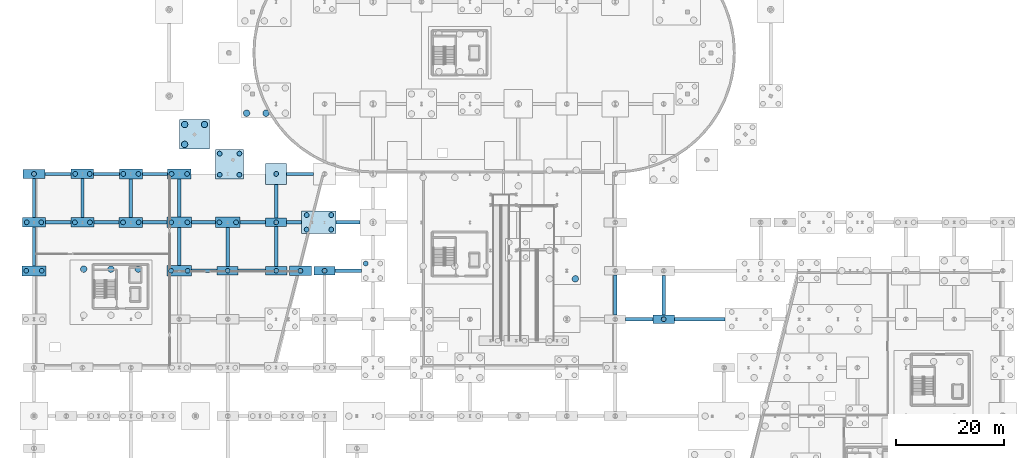
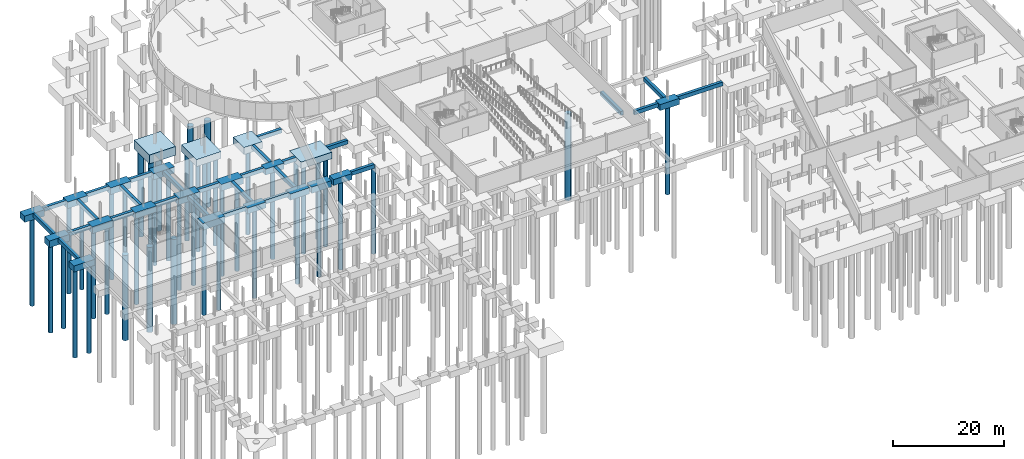
# One storey, part 4 of 42: 48 footings, 46 piles.
"""IFC4 building model written with IfcOpenShell, lengths in metres."""

from ifc_helpers import new_model, si_unit, direction, frame, origin, origin_2d, place, context, subcontext, project, spatial, rectangle, circle, extrude, material, material_profile, profile_set, type_object, element, save


model = new_model("IFC4")

# Units and contexts
model_context = context("Model", 3, precision=1e-05, world=origin(), true_north=direction((0.0, 1.0)))
body_context = subcontext(model_context, "Body", "Model", "MODEL_VIEW")
ifc_project = project(units=[si_unit("LENGTHUNIT", "METRE"), si_unit("AREAUNIT", "SQUARE_METRE"), si_unit("VOLUMEUNIT", "CUBIC_METRE"), si_unit("PLANEANGLEUNIT", "RADIAN"), si_unit("MASSUNIT", "GRAM", prefix="KILO")], contexts=[model_context])

# Site, building, storey
site_placement = place(None, origin())
site = spatial("IfcSite", under=ifc_project, at=site_placement, CompositionType="ELEMENT")
building_placement = place(site_placement, origin())
building = spatial("IfcBuilding", under=site, at=building_placement, Name="Deido Ridge Mobility Hub", CompositionType="ELEMENT")
storey_placement = place(building_placement, frame((0.0, 0.0, -4.199951171875)))
storey = spatial("IfcBuildingStorey", under=building, at=storey_placement, Name="B1", CompositionType="ELEMENT", Elevation=-4.199951171875)

# Footings
ifc_material = material(Name="Concrete C40/50", Category="concrete")
footing_type_1 = type_object("IfcFootingType", Name="FTG-PC-3900X1600X1300", PredefinedType="PILE_CAP", material=ifc_material)
for number, where, z_axis, x_axis, name in (
    (1, (36.0, 63.0, -1.30029296875), (0.0, 0.0, 1.0), (1.0, 0.0, 0.0), "Pile cap PC1"),
    (2, (45.0, 72.0, -1.30029296875), (0.0, 0.0, 1.0), (1.0, 0.0, 0.0), "Pile cap PC1"),
    (3, (54.0, 63.0, -1.30029296875), (0.0, 0.0, 1.0), (1.0, 0.0, 0.0), "Pile cap PC1"),
):
    element("IfcFooting", number, at=place(storey_placement, frame(where, z_axis=z_axis, x_axis=x_axis)), inside=storey, type_object=footing_type_1, Name=name, PredefinedType="PILE_CAP", context=body_context, shape_type="SweptSolid", body=[
        extrude(rectangle(XDim=3.89990234375, YDim=1.60009765625, at=origin_2d()), origin(), (0.0, 0.0, 1.0), 1.300048828125),
    ])
footing_type_2 = type_object("IfcFootingType", Name="FTG-PC-3900X3900X1550", PredefinedType="PILE_CAP", material=ifc_material)
footing_1_placement = place(storey_placement, frame((45.0, 81.0, -1.55029296875), z_axis=(0.0, 0.0, 1.0), x_axis=(1.0, 0.0, 0.0)))
element("IfcFooting", 4, at=footing_1_placement, inside=storey, type_object=footing_type_2, Name="Pile cap PC12", PredefinedType="PILE_CAP", context=body_context, shape_type="SweptSolid", body=[
    extrude(rectangle(XDim=3.89990234375, YDim=3.89990234375, at=origin_2d()), origin(), (0.0, 0.0, 1.0), 1.550048828125),
])
footing_type_3 = type_object("IfcFootingType", Name="FTG-PC-4000X1650X1350", PredefinedType="PILE_CAP", material=ifc_material)
for number, where, z_axis, x_axis, name in (
    (5, (45.0, 63.0, -1.35009765625), (0.0, 0.0, 1.0), (1.0, 0.0, 0.0), "Pile cap PC2"),
    (6, (117.0, 54.0, -1.35009765625), (0.0, 0.0, 1.0), (1.0, 0.0, 0.0), "Pile cap PC2"),
):
    element("IfcFooting", number, at=place(storey_placement, frame(where, z_axis=z_axis, x_axis=x_axis)), inside=storey, type_object=footing_type_3, Name=name, PredefinedType="PILE_CAP", context=body_context, shape_type="SweptSolid", body=[
        extrude(rectangle(XDim=4.0, YDim=1.64990234375, at=origin_2d()), origin(), (0.0, 0.0, 1.0), 1.35009765625),
    ])
footing_type_4 = type_object("IfcFootingType", Name="FTG-PC-4100X1700X1400", PredefinedType="PILE_CAP", material=ifc_material)
for number, where, z_axis, x_axis, name in (
    (7, (49.5, 63.0, -1.39990234375), (0.0, 0.0, 1.0), (1.0, 0.0, 0.0), "Pile cap PC3"),
    (8, (0.0, 81.0, -1.39990234375), (0.0, 0.0, 1.0), (1.0, 0.0, 0.0), "Pile cap PC3"),
):
    element("IfcFooting", number, at=place(storey_placement, frame(where, z_axis=z_axis, x_axis=x_axis)), inside=storey, type_object=footing_type_4, Name=name, PredefinedType="PILE_CAP", context=body_context, shape_type="SweptSolid", body=[
        extrude(rectangle(XDim=4.10009765625, YDim=1.699951171875, at=origin_2d()), origin(), (0.0, 0.0, 1.0), 1.39990234375),
    ])
footing_type_5 = type_object("IfcFootingType", Name="FTG-PC-4200X1750X1450", PredefinedType="PILE_CAP", material=ifc_material)
for number, where, z_axis, x_axis, name in (
    (9, (0.0, 72.0, -1.4501953125), (0.0, 0.0, 1.0), (1.0, 0.0, 0.0), "Pile cap PC4"),
    (10, (9.0, 81.0, -1.4501953125), (0.0, 0.0, 1.0), (1.0, 0.0, 0.0), "Pile cap PC4"),
):
    element("IfcFooting", number, at=place(storey_placement, frame(where, z_axis=z_axis, x_axis=x_axis)), inside=storey, type_object=footing_type_5, Name=name, PredefinedType="PILE_CAP", context=body_context, shape_type="SweptSolid", body=[
        extrude(rectangle(XDim=4.199951171875, YDim=1.75, at=origin_2d()), origin(), (0.0, 0.0, 1.0), 1.449951171875),
    ])
footing_type_6 = type_object("IfcFootingType", Name="FTG-PC-4300X1800X1500", PredefinedType="PILE_CAP", material=ifc_material)
for number, where, z_axis, x_axis, name in (
    (11, (9.0, 72.0, -1.5), (0.0, 0.0, 1.0), (1.0, 0.0, 0.0), "Pile cap PC5"),
    (12, (18.0, 81.0, -1.5), (0.0, 0.0, 1.0), (1.0, 0.0, 0.0), "Pile cap PC5"),
):
    element("IfcFooting", number, at=place(storey_placement, frame(where, z_axis=z_axis, x_axis=x_axis)), inside=storey, type_object=footing_type_6, Name=name, PredefinedType="PILE_CAP", context=body_context, shape_type="SweptSolid", body=[
        extrude(rectangle(XDim=4.300048828125, YDim=1.800048828125, at=origin_2d()), origin(), (0.0, 0.0, 1.0), 1.5),
    ])
footing_type_7 = type_object("IfcFootingType", Name="FTG-PC-4400X1850X1350", PredefinedType="PILE_CAP", material=ifc_material)
for number, where, z_axis, x_axis, name in (
    (13, (0.0, 63.0, -1.35009765625), (0.0, 0.0, 1.0), (1.0, 0.0, 0.0), "Pile cap PC6"),
    (14, (18.0, 72.0, -1.35009765625), (0.0, 0.0, 1.0), (1.0, 0.0, 0.0), "Pile cap PC6"),
    (15, (27.0, 81.0, -1.35009765625), (0.0, 0.0, 1.0), (1.0, 0.0, 0.0), "Pile cap PC6"),
):
    element("IfcFooting", number, at=place(storey_placement, frame(where, z_axis=z_axis, x_axis=x_axis)), inside=storey, type_object=footing_type_7, Name=name, PredefinedType="PILE_CAP", context=body_context, shape_type="SweptSolid", body=[
        extrude(rectangle(XDim=4.39990234375, YDim=1.85009765625, at=origin_2d()), origin(), (0.0, 0.0, 1.0), 1.35009765625),
    ])
footing_type_8 = type_object("IfcFootingType", Name="FTG-PC-4500X1900X1400", PredefinedType="PILE_CAP", material=ifc_material)
footing_2_placement = place(storey_placement, frame((27.0, 72.0, -1.39990234375), z_axis=(0.0, 0.0, 1.0), x_axis=(1.0, 0.0, 0.0)))
element("IfcFooting", 16, at=footing_2_placement, inside=storey, type_object=footing_type_8, Name="Pile cap PC7", PredefinedType="PILE_CAP", context=body_context, shape_type="SweptSolid", body=[
    extrude(rectangle(XDim=4.5, YDim=1.89990234375, at=origin_2d()), origin(), (0.0, 0.0, 1.0), 1.39990234375),
])
footing_type_9 = type_object("IfcFootingType", Name="FTG-PC-4600X1950X1450", PredefinedType="PILE_CAP", material=ifc_material)
for number, where, z_axis, x_axis, name in (
    (17, (27.0, 63.0, -1.4501953125), (0.0, 0.0, 1.0), (1.0, 0.0, 0.0), "Pile cap PC8"),
    (18, (36.0, 72.0, -1.4501953125), (0.0, 0.0, 1.0), (1.0, 0.0, 0.0), "Pile cap PC8"),
):
    element("IfcFooting", number, at=place(storey_placement, frame(where, z_axis=z_axis, x_axis=x_axis)), inside=storey, type_object=footing_type_9, Name=name, PredefinedType="PILE_CAP", context=body_context, shape_type="SweptSolid", body=[
        extrude(rectangle(XDim=4.60009765625, YDim=1.949951171875, at=origin_2d()), origin(), (0.0, 0.0, 1.0), 1.449951171875),
    ])
footing_type_10 = type_object("IfcFootingType", Name="FTG-PC-5165X5512X1550", PredefinedType="PILE_CAP", material=ifc_material)
footing_3_placement = place(storey_placement, frame((36.33251953125, 82.805908203125, -1.55029296875), z_axis=(0.0, 0.0, 1.0), x_axis=(1.0, 0.0, 0.0)))
element("IfcFooting", 19, at=footing_3_placement, inside=storey, type_object=footing_type_10, Name="Pile cap PC11", PredefinedType="PILE_CAP", context=body_context, shape_type="SweptSolid", body=[
    extrude(rectangle(XDim=5.1650390625, YDim=5.511962890625, at=origin_2d()), origin(), (0.0, 0.0, 1.0), 1.550048828125),
])
footing_type_11 = type_object("IfcFootingType", Name="FTG-PC-5500X5500X1950", PredefinedType="PILE_CAP", material=ifc_material)
footing_4_placement = place(storey_placement, frame((29.83251953125, 88.33251953125, -1.9501953125), z_axis=(0.0, 0.0, 1.0), x_axis=(1.0, 0.0, 0.0)))
element("IfcFooting", 20, at=footing_4_placement, inside=storey, type_object=footing_type_11, Name="Pile cap PC16", PredefinedType="PILE_CAP", context=body_context, shape_type="SweptSolid", body=[
    extrude(rectangle(XDim=5.5, YDim=5.5, at=origin_2d()), origin(), (0.0, 0.0, 1.0), 1.949951171875),
])
footing_type_12 = type_object("IfcFootingType", Name="FTG-PC-6400X4200X1500", PredefinedType="PILE_CAP", material=ifc_material)
footing_5_placement = place(storey_placement, frame((52.949951171875, 72.0, -1.5), z_axis=(0.0, 0.0, 1.0), x_axis=(1.0, 0.0, 0.0)))
element("IfcFooting", 21, at=footing_5_placement, inside=storey, type_object=footing_type_12, Name="Pile cap PC10", PredefinedType="PILE_CAP", context=body_context, shape_type="SweptSolid", body=[
    extrude(rectangle(XDim=6.39990234375, YDim=4.199951171875, at=origin_2d()), origin(), (0.0, 0.0, 1.0), 1.5),
])
ifc_material_profile_1 = material_profile(ifc_material, rectangle(XDim=0.60009765625, YDim=0.85009765625, at=origin_2d()), Name="RC GB 600x850")
ifc_profile_set_1 = profile_set([ifc_material_profile_1], Name="Concrete C40/50")
footing_type_13 = type_object("IfcFootingType", Name="GB-RC600X850", PredefinedType="FOOTING_BEAM", material=ifc_profile_set_1)
footing_6_placement = place(storey_placement, frame((2.10009765625, 72.0, -0.425048828125), z_axis=(1.0, 0.0, 0.0), x_axis=(0.0, 1.0, 0.0)))
element("IfcFooting", 22, at=footing_6_placement, inside=storey, type_object=footing_type_13, Name="Ground beam GB1", PredefinedType="FOOTING_BEAM", context=body_context, shape_type="SweptSolid", body=[
    extrude(rectangle(XDim=0.60009765625, YDim=0.85009765625, at=origin_2d()), origin(), (0.0, 0.0, 1.0), 4.75),
])
footing_7_placement = place(storey_placement, frame((11.14990234375, 72.0, -0.425048828125), z_axis=(1.0, 0.0, 0.0), x_axis=(0.0, 1.0, 0.0)))
element("IfcFooting", 23, at=footing_7_placement, inside=storey, type_object=footing_type_13, Name="Ground beam GB1", PredefinedType="FOOTING_BEAM", context=body_context, shape_type="SweptSolid", body=[
    extrude(rectangle(XDim=0.60009765625, YDim=0.85009765625, at=origin_2d()), origin(), (0.0, 0.0, 1.0), 4.650146484375),
])
footing_8_placement = place(storey_placement, frame((20.199951171875, 72.0, -0.425048828125), z_axis=(1.0, 0.0, 0.0), x_axis=(0.0, 1.0, 0.0)))
element("IfcFooting", 24, at=footing_8_placement, inside=storey, type_object=footing_type_13, Name="Ground beam GB1", PredefinedType="FOOTING_BEAM", context=body_context, shape_type="SweptSolid", body=[
    extrude(rectangle(XDim=0.60009765625, YDim=0.85009765625, at=origin_2d()), origin(), (0.0, 0.0, 1.0), 4.550048828125),
])
footing_9_placement = place(storey_placement, frame((29.25, 72.0, -0.425048828125), z_axis=(1.0, 0.0, 0.0), x_axis=(0.0, 1.0, 0.0)))
element("IfcFooting", 25, at=footing_9_placement, inside=storey, type_object=footing_type_13, Name="Ground beam GB1", PredefinedType="FOOTING_BEAM", context=body_context, shape_type="SweptSolid", body=[
    extrude(rectangle(XDim=0.60009765625, YDim=0.85009765625, at=origin_2d()), origin(), (0.0, 0.0, 1.0), 4.449951171875),
])
footing_10_placement = place(storey_placement, frame((38.300048828125, 72.0, -0.425048828125), z_axis=(1.0, 0.0, 0.0), x_axis=(0.0, 1.0, 0.0)))
element("IfcFooting", 26, at=footing_10_placement, inside=storey, type_object=footing_type_13, Name="Ground beam GB1", PredefinedType="FOOTING_BEAM", context=body_context, shape_type="SweptSolid", body=[
    extrude(rectangle(XDim=0.60009765625, YDim=0.85009765625, at=origin_2d()), origin(), (0.0, 0.0, 1.0), 4.75),
])
footing_11_placement = place(storey_placement, frame((46.949951171875, 72.0, -0.425048828125), z_axis=(1.0, 0.0, 0.0), x_axis=(0.0, 1.0, 0.0)))
element("IfcFooting", 27, at=footing_11_placement, inside=storey, type_object=footing_type_13, Name="Ground beam GB1", PredefinedType="FOOTING_BEAM", context=body_context, shape_type="SweptSolid", body=[
    extrude(rectangle(XDim=0.60009765625, YDim=0.85009765625, at=origin_2d()), origin(), (0.0, 0.0, 1.0), 2.800048828125),
])
footing_12_placement = place(storey_placement, frame((56.14990234375, 72.0, -0.425048828125), z_axis=(1.0, 0.0, 0.0), x_axis=(0.0, 1.0, 0.0)))
element("IfcFooting", 28, at=footing_12_placement, inside=storey, type_object=footing_type_13, Name="Ground beam GB1", PredefinedType="FOOTING_BEAM", context=body_context, shape_type="SweptSolid", body=[
    extrude(rectangle(XDim=0.60009765625, YDim=0.85009765625, at=origin_2d()), origin(), (0.0, 0.0, 1.0), 4.400146484375),
])
footing_13_placement = place(storey_placement, frame((109.949951171875, 54.0, -0.425048828125), z_axis=(1.0, 0.0, 0.0), x_axis=(0.0, 1.0, 0.0)))
element("IfcFooting", 29, at=footing_13_placement, inside=storey, type_object=footing_type_13, Name="Ground beam GB1", PredefinedType="FOOTING_BEAM", context=body_context, shape_type="SweptSolid", body=[
    extrude(rectangle(XDim=0.60009765625, YDim=0.85009765625, at=origin_2d()), origin(), (0.0, 0.0, 1.0), 5.050048828125),
])
footing_14_placement = place(storey_placement, frame((119.0, 54.0, -0.425048828125), z_axis=(1.0, 0.0, 0.0), x_axis=(0.0, 1.0, 0.0)))
element("IfcFooting", 30, at=footing_14_placement, inside=storey, type_object=footing_type_13, Name="Ground beam GB1", PredefinedType="FOOTING_BEAM", context=body_context, shape_type="SweptSolid", body=[
    extrude(rectangle(XDim=0.60009765625, YDim=0.85009765625, at=origin_2d()), origin(), (0.0, 0.0, 1.0), 9.39990234375),
])
footing_15_placement = place(storey_placement, frame((29.300048828125, 63.0, -0.425048828125), z_axis=(1.0, 0.0, 0.0), x_axis=(0.0, 1.0, 0.0)))
element("IfcFooting", 31, at=footing_15_placement, inside=storey, type_object=footing_type_13, Name="Ground beam GB1", PredefinedType="FOOTING_BEAM", context=body_context, shape_type="SweptSolid", body=[
    extrude(rectangle(XDim=0.60009765625, YDim=0.85009765625, at=origin_2d()), origin(), (0.0, 0.0, 1.0), 4.75),
])
footing_16_placement = place(storey_placement, frame((37.949951171875, 63.0, -0.425048828125), z_axis=(1.0, 0.0, 0.0), x_axis=(0.0, 1.0, 0.0)))
element("IfcFooting", 32, at=footing_16_placement, inside=storey, type_object=footing_type_13, Name="Ground beam GB1", PredefinedType="FOOTING_BEAM", context=body_context, shape_type="SweptSolid", body=[
    extrude(rectangle(XDim=0.60009765625, YDim=0.85009765625, at=origin_2d()), origin(), (0.0, 0.0, 1.0), 5.050048828125),
])
footing_17_placement = place(storey_placement, frame((55.949951171875, 63.0, -0.425048828125), z_axis=(1.0, 0.0, 0.0), x_axis=(0.0, 1.0, 0.0)))
element("IfcFooting", 33, at=footing_17_placement, inside=storey, type_object=footing_type_13, Name="Ground beam GB1", PredefinedType="FOOTING_BEAM", context=body_context, shape_type="SweptSolid", body=[
    extrude(rectangle(XDim=0.60009765625, YDim=0.85009765625, at=origin_2d()), origin(), (0.0, 0.0, 1.0), 4.949951171875),
])
footing_18_placement = place(storey_placement, frame((2.050048828125, 81.0, -0.425048828125), z_axis=(1.0, 0.0, 0.0), x_axis=(0.0, 1.0, 0.0)))
element("IfcFooting", 34, at=footing_18_placement, inside=storey, type_object=footing_type_13, Name="Ground beam GB1", PredefinedType="FOOTING_BEAM", context=body_context, shape_type="SweptSolid", body=[
    extrude(rectangle(XDim=0.60009765625, YDim=0.85009765625, at=origin_2d()), origin(), (0.0, 0.0, 1.0), 4.849853515625),
])
footing_19_placement = place(storey_placement, frame((11.10009765625, 81.0, -0.425048828125), z_axis=(1.0, 0.0, 0.0), x_axis=(0.0, 1.0, 0.0)))
element("IfcFooting", 35, at=footing_19_placement, inside=storey, type_object=footing_type_13, Name="Ground beam GB1", PredefinedType="FOOTING_BEAM", context=body_context, shape_type="SweptSolid", body=[
    extrude(rectangle(XDim=0.60009765625, YDim=0.85009765625, at=origin_2d()), origin(), (0.0, 0.0, 1.0), 4.75),
])
footing_20_placement = place(storey_placement, frame((20.14990234375, 81.0, -0.425048828125), z_axis=(1.0, 0.0, 0.0), x_axis=(0.0, 1.0, 0.0)))
element("IfcFooting", 36, at=footing_20_placement, inside=storey, type_object=footing_type_13, Name="Ground beam GB1", PredefinedType="FOOTING_BEAM", context=body_context, shape_type="SweptSolid", body=[
    extrude(rectangle(XDim=0.60009765625, YDim=0.85009765625, at=origin_2d()), origin(), (0.0, 0.0, 1.0), 4.650146484375),
])
footing_21_placement = place(storey_placement, frame((46.949951171875, 81.0, -0.425048828125), z_axis=(1.0, 0.0, 0.0), x_axis=(0.0, 1.0, 0.0)))
element("IfcFooting", 37, at=footing_21_placement, inside=storey, type_object=footing_type_13, Name="Ground beam GB1", PredefinedType="FOOTING_BEAM", context=body_context, shape_type="SweptSolid", body=[
    extrude(rectangle(XDim=0.60009765625, YDim=0.85009765625, at=origin_2d()), origin(), (0.0, 0.0, 1.0), 5.025146484375),
])
footing_22_placement = place(storey_placement, frame((0.0, 63.925048828125, -0.425048828125), z_axis=(0.0, 1.0, 0.0), x_axis=(-1.0, 0.0, 0.0)))
element("IfcFooting", 38, at=footing_22_placement, inside=storey, type_object=footing_type_13, Name="Ground beam GB1", PredefinedType="FOOTING_BEAM", context=body_context, shape_type="SweptSolid", body=[
    extrude(rectangle(XDim=0.60009765625, YDim=0.85009765625, at=origin_2d()), origin(), (0.0, 0.0, 1.0), 7.199951171875),
])
footing_23_placement = place(storey_placement, frame((0.0, 72.875, -0.425048828125), z_axis=(0.0, 1.0, 0.0), x_axis=(-1.0, 0.0, 0.0)))
element("IfcFooting", 39, at=footing_23_placement, inside=storey, type_object=footing_type_13, Name="Ground beam GB1", PredefinedType="FOOTING_BEAM", context=body_context, shape_type="SweptSolid", body=[
    extrude(rectangle(XDim=0.60009765625, YDim=0.85009765625, at=origin_2d()), origin(), (0.0, 0.0, 1.0), 7.27490234375),
])
footing_24_placement = place(storey_placement, frame((18.0, 72.925048828125, -0.425048828125), z_axis=(0.0, 1.0, 0.0), x_axis=(-1.0, 0.0, 0.0)))
element("IfcFooting", 40, at=footing_24_placement, inside=storey, type_object=footing_type_13, Name="Ground beam GB1", PredefinedType="FOOTING_BEAM", context=body_context, shape_type="SweptSolid", body=[
    extrude(rectangle(XDim=0.60009765625, YDim=0.85009765625, at=origin_2d()), origin(), (0.0, 0.0, 1.0), 7.175048828125),
])
footing_25_placement = place(storey_placement, frame((36.0, 63.800048828125, -0.425048828125), z_axis=(0.0, 1.0, 0.0), x_axis=(-1.0, 0.0, 0.0)))
element("IfcFooting", 41, at=footing_25_placement, inside=storey, type_object=footing_type_13, Name="Ground beam GB1", PredefinedType="FOOTING_BEAM", context=body_context, shape_type="SweptSolid", body=[
    extrude(rectangle(XDim=0.60009765625, YDim=0.85009765625, at=origin_2d()), origin(), (0.0, 0.0, 1.0), 7.224853515625),
])
footing_26_placement = place(storey_placement, frame((9.0, 72.89990234375, -0.425048828125), z_axis=(0.0, 1.0, 0.0), x_axis=(-1.0, 0.0, 0.0)))
element("IfcFooting", 42, at=footing_26_placement, inside=storey, type_object=footing_type_13, Name="Ground beam GB1", PredefinedType="FOOTING_BEAM", context=body_context, shape_type="SweptSolid", body=[
    extrude(rectangle(XDim=0.60009765625, YDim=0.85009765625, at=origin_2d()), origin(), (0.0, 0.0, 1.0), 7.22509765625),
])
footing_27_placement = place(storey_placement, frame((27.0, 63.97509765625, -0.425048828125), z_axis=(0.0, 1.0, 0.0), x_axis=(-1.0, 0.0, 0.0)))
element("IfcFooting", 43, at=footing_27_placement, inside=storey, type_object=footing_type_13, Name="Ground beam GB1", PredefinedType="FOOTING_BEAM", context=body_context, shape_type="SweptSolid", body=[
    extrude(rectangle(XDim=0.60009765625, YDim=0.85009765625, at=origin_2d()), origin(), (0.0, 0.0, 1.0), 7.074951171875),
])
footing_28_placement = place(storey_placement, frame((27.0, 72.949951171875, -0.425048828125), z_axis=(0.0, 1.0, 0.0), x_axis=(-1.0, 0.0, 0.0)))
element("IfcFooting", 44, at=footing_28_placement, inside=storey, type_object=footing_type_13, Name="Ground beam GB1", PredefinedType="FOOTING_BEAM", context=body_context, shape_type="SweptSolid", body=[
    extrude(rectangle(XDim=0.60009765625, YDim=0.85009765625, at=origin_2d()), origin(), (0.0, 0.0, 1.0), 7.125),
])
footing_29_placement = place(storey_placement, frame((45.0, 63.824951171875, -0.425048828125), z_axis=(0.0, 1.0, 0.0), x_axis=(-1.0, 0.0, 0.0)))
element("IfcFooting", 45, at=footing_29_placement, inside=storey, type_object=footing_type_13, Name="Ground beam GB1", PredefinedType="FOOTING_BEAM", context=body_context, shape_type="SweptSolid", body=[
    extrude(rectangle(XDim=0.60009765625, YDim=0.85009765625, at=origin_2d()), origin(), (0.0, 0.0, 1.0), 7.375),
])
footing_30_placement = place(storey_placement, frame((45.0, 72.800048828125, -0.425048828125), z_axis=(0.0, 1.0, 0.0), x_axis=(-1.0, 0.0, 0.0)))
element("IfcFooting", 46, at=footing_30_placement, inside=storey, type_object=footing_type_13, Name="Ground beam GB1", PredefinedType="FOOTING_BEAM", context=body_context, shape_type="SweptSolid", body=[
    extrude(rectangle(XDim=0.60009765625, YDim=0.85009765625, at=origin_2d()), origin(), (0.0, 0.0, 1.0), 6.25),
])
footing_31_placement = place(storey_placement, frame((108.0, 54.800048828125, -0.425048828125), z_axis=(0.0, 1.0, 0.0), x_axis=(-1.0, 0.0, 0.0)))
element("IfcFooting", 47, at=footing_31_placement, inside=storey, type_object=footing_type_13, Name="Ground beam GB1", PredefinedType="FOOTING_BEAM", context=body_context, shape_type="SweptSolid", body=[
    extrude(rectangle(XDim=0.60009765625, YDim=0.85009765625, at=origin_2d()), origin(), (0.0, 0.0, 1.0), 7.375),
])
footing_32_placement = place(storey_placement, frame((117.0, 54.824951171875, -0.425048828125), z_axis=(0.0, 1.0, 0.0), x_axis=(-1.0, 0.0, 0.0)))
element("IfcFooting", 48, at=footing_32_placement, inside=storey, type_object=footing_type_13, Name="Ground beam GB1", PredefinedType="FOOTING_BEAM", context=body_context, shape_type="SweptSolid", body=[
    extrude(rectangle(XDim=0.60009765625, YDim=0.85009765625, at=origin_2d()), origin(), (0.0, 0.0, 1.0), 7.324951171875),
])

# Piles
ifc_material_profile_2 = material_profile(ifc_material, circle(Radius=0.60009765625, at=origin_2d()), Name="BORED PILE D1200")
ifc_profile_set_2 = profile_set([ifc_material_profile_2], Name="Concrete C40/50")
pile_type_1 = type_object("IfcPileType", Name="PILE-BORED-D1200", PredefinedType="BORED", material=ifc_profile_set_2)
for number, where, z_axis, x_axis, name in (
    (49, (9.2333984375, 63.310791015625, -2.0), (0.0, 0.0, -1.0), (1.0, 0.0, 0.0), "Bored pile P2"),
    (50, (14.300048828125, 63.310791015625, -2.0), (0.0, 0.0, -1.0), (1.0, 0.0, 0.0), "Bored pile P2"),
    (51, (19.36669921875, 63.310791015625, -2.0), (0.0, 0.0, -1.0), (1.0, 0.0, 0.0), "Bored pile P2"),
):
    element("IfcPile", number, at=place(storey_placement, frame(where, z_axis=z_axis, x_axis=x_axis)), inside=storey, type_object=pile_type_1, Name=name, PredefinedType="BORED", context=body_context, shape_type="SweptSolid", body=[
        extrude(circle(Radius=0.60009765625, at=origin_2d()), origin(), (0.0, 0.0, 1.0), 18.800048828125),
    ])
pile_1_placement = place(storey_placement, frame((100.585693359375, 61.507080078125, -1.699951171875), z_axis=(0.0, 0.0, -1.0), x_axis=(1.0, 0.0, 0.0)))
element("IfcPile", 52, at=pile_1_placement, inside=storey, type_object=pile_type_1, Name="Bored pile P2", PredefinedType="BORED", context=body_context, shape_type="SweptSolid", body=[
    extrude(circle(Radius=0.60009765625, at=origin_2d()), origin(), (0.0, 0.0, 1.0), 19.10009765625),
])
for number, where, z_axis, x_axis, name in (
    (53, (39.512451171875, 92.286376953125, -1.75), (0.0, 0.0, -1.0), (1.0, 0.0, 0.0), "Bored pile P2"),
    (54, (43.112548828125, 92.286376953125, -1.75), (0.0, 0.0, -1.0), (1.0, 0.0, 0.0), "Bored pile P2"),
):
    element("IfcPile", number, at=place(storey_placement, frame(where, z_axis=z_axis, x_axis=x_axis)), inside=storey, type_object=pile_type_1, Name=name, PredefinedType="BORED", context=body_context, shape_type="SweptSolid", body=[
        extrude(circle(Radius=0.60009765625, at=origin_2d()), origin(), (0.0, 0.0, 1.0), 19.050048828125),
    ])
for number, where, z_axis, x_axis, name in (
    (55, (27.982666015625, 86.482666015625, -1.800048828125), (0.0, 0.0, -1.0), (1.0, 0.0, 0.0), "Bored pile P2"),
    (56, (27.982666015625, 90.1826171875, -1.800048828125), (0.0, 0.0, -1.0), (1.0, 0.0, 0.0), "Bored pile P2"),
    (57, (31.6826171875, 90.1826171875, -1.800048828125), (0.0, 0.0, -1.0), (1.0, 0.0, 0.0), "Bored pile P2"),
):
    element("IfcPile", number, at=place(storey_placement, frame(where, z_axis=z_axis, x_axis=x_axis)), inside=storey, type_object=pile_type_1, Name=name, PredefinedType="BORED", context=body_context, shape_type="SweptSolid", body=[
        extrude(circle(Radius=0.60009765625, at=origin_2d()), origin(), (0.0, 0.0, 1.0), 19.0),
    ])
ifc_material_profile_3 = material_profile(ifc_material, circle(Radius=0.449951171875, at=origin_2d()), Name="BORED PILE D900")
ifc_profile_set_3 = profile_set([ifc_material_profile_3], Name="Concrete C40/50")
pile_type_2 = type_object("IfcPileType", Name="PILE-BORED-D900", PredefinedType="BORED", material=ifc_profile_set_3)
for number, where, z_axis, x_axis, name in (
    (58, (-1.449951171875, 63.0, -1.199951171875), (0.0, 0.0, -1.0), (1.0, 0.0, 0.0), "Bored pile P1"),
    (59, (1.449951171875, 63.0, -1.199951171875), (0.0, 0.0, -1.0), (1.0, 0.0, 0.0), "Bored pile P1"),
):
    element("IfcPile", number, at=place(storey_placement, frame(where, z_axis=z_axis, x_axis=x_axis)), inside=storey, type_object=pile_type_2, Name=name, PredefinedType="BORED", context=body_context, shape_type="SweptSolid", body=[
        extrude(circle(Radius=0.449951171875, at=origin_2d()), origin(), (0.0, 0.0, 1.0), 19.60009765625),
    ])
for number, where, z_axis, x_axis, name in (
    (60, (25.449951171875, 63.0, -1.300048828125), (0.0, 0.0, -1.0), (1.0, 0.0, 0.0), "Bored pile P1"),
    (61, (28.550048828125, 63.0, -1.300048828125), (0.0, 0.0, -1.0), (1.0, 0.0, 0.0), "Bored pile P1"),
):
    element("IfcPile", number, at=place(storey_placement, frame(where, z_axis=z_axis, x_axis=x_axis)), inside=storey, type_object=pile_type_2, Name=name, PredefinedType="BORED", context=body_context, shape_type="SweptSolid", body=[
        extrude(circle(Radius=0.449951171875, at=origin_2d()), origin(), (0.0, 0.0, 1.0), 19.5),
    ])
pile_2_placement = place(storey_placement, frame((36.0, 63.0, -1.150146484375), z_axis=(0.0, 0.0, -1.0), x_axis=(1.0, 0.0, 0.0)))
element("IfcPile", 62, at=pile_2_placement, inside=storey, type_object=pile_type_2, Name="Bored pile P1", PredefinedType="BORED", context=body_context, shape_type="SweptSolid", body=[
    extrude(circle(Radius=0.449951171875, at=origin_2d()), origin(), (0.0, 0.0, 1.0), 19.64990234375),
])
pile_3_placement = place(storey_placement, frame((45.0, 63.0, -1.199951171875), z_axis=(0.0, 0.0, -1.0), x_axis=(1.0, 0.0, 0.0)))
element("IfcPile", 63, at=pile_3_placement, inside=storey, type_object=pile_type_2, Name="Bored pile P1", PredefinedType="BORED", context=body_context, shape_type="SweptSolid", body=[
    extrude(circle(Radius=0.449951171875, at=origin_2d()), origin(), (0.0, 0.0, 1.0), 19.60009765625),
])
pile_4_placement = place(storey_placement, frame((49.5, 63.0, -1.25), z_axis=(0.0, 0.0, -1.0), x_axis=(1.0, 0.0, 0.0)))
element("IfcPile", 64, at=pile_4_placement, inside=storey, type_object=pile_type_2, Name="Bored pile P1", PredefinedType="BORED", context=body_context, shape_type="SweptSolid", body=[
    extrude(circle(Radius=0.449951171875, at=origin_2d()), origin(), (0.0, 0.0, 1.0), 19.550048828125),
])
for number, where, z_axis, x_axis, name in (
    (65, (-1.35009765625, 72.0, -1.300048828125), (0.0, 0.0, -1.0), (1.0, 0.0, 0.0), "Bored pile P1"),
    (66, (1.35009765625, 72.0, -1.300048828125), (0.0, 0.0, -1.0), (1.0, 0.0, 0.0), "Bored pile P1"),
):
    element("IfcPile", number, at=place(storey_placement, frame(where, z_axis=z_axis, x_axis=x_axis)), inside=storey, type_object=pile_type_2, Name=name, PredefinedType="BORED", context=body_context, shape_type="SweptSolid", body=[
        extrude(circle(Radius=0.449951171875, at=origin_2d()), origin(), (0.0, 0.0, 1.0), 19.5),
    ])
for number, where, z_axis, x_axis, name in (
    (67, (7.60009765625, 72.0, -1.35009765625), (0.0, 0.0, -1.0), (1.0, 0.0, 0.0), "Bored pile P1"),
    (68, (10.39990234375, 72.0, -1.35009765625), (0.0, 0.0, -1.0), (1.0, 0.0, 0.0), "Bored pile P1"),
):
    element("IfcPile", number, at=place(storey_placement, frame(where, z_axis=z_axis, x_axis=x_axis)), inside=storey, type_object=pile_type_2, Name=name, PredefinedType="BORED", context=body_context, shape_type="SweptSolid", body=[
        extrude(circle(Radius=0.449951171875, at=origin_2d()), origin(), (0.0, 0.0, 1.0), 19.449951171875),
    ])
for number, where, z_axis, x_axis, name in (
    (69, (16.550048828125, 72.0, -1.199951171875), (0.0, 0.0, -1.0), (1.0, 0.0, 0.0), "Bored pile P1"),
    (70, (19.449951171875, 72.0, -1.199951171875), (0.0, 0.0, -1.0), (1.0, 0.0, 0.0), "Bored pile P1"),
):
    element("IfcPile", number, at=place(storey_placement, frame(where, z_axis=z_axis, x_axis=x_axis)), inside=storey, type_object=pile_type_2, Name=name, PredefinedType="BORED", context=body_context, shape_type="SweptSolid", body=[
        extrude(circle(Radius=0.449951171875, at=origin_2d()), origin(), (0.0, 0.0, 1.0), 19.60009765625),
    ])
for number, where, z_axis, x_axis, name in (
    (71, (25.5, 72.0, -1.25), (0.0, 0.0, -1.0), (1.0, 0.0, 0.0), "Bored pile P1"),
    (72, (28.5, 72.0, -1.25), (0.0, 0.0, -1.0), (1.0, 0.0, 0.0), "Bored pile P1"),
):
    element("IfcPile", number, at=place(storey_placement, frame(where, z_axis=z_axis, x_axis=x_axis)), inside=storey, type_object=pile_type_2, Name=name, PredefinedType="BORED", context=body_context, shape_type="SweptSolid", body=[
        extrude(circle(Radius=0.449951171875, at=origin_2d()), origin(), (0.0, 0.0, 1.0), 19.550048828125),
    ])
for number, where, z_axis, x_axis, name in (
    (73, (34.449951171875, 72.0, -1.300048828125), (0.0, 0.0, -1.0), (1.0, 0.0, 0.0), "Bored pile P1"),
    (74, (37.550048828125, 72.0, -1.300048828125), (0.0, 0.0, -1.0), (1.0, 0.0, 0.0), "Bored pile P1"),
):
    element("IfcPile", number, at=place(storey_placement, frame(where, z_axis=z_axis, x_axis=x_axis)), inside=storey, type_object=pile_type_2, Name=name, PredefinedType="BORED", context=body_context, shape_type="SweptSolid", body=[
        extrude(circle(Radius=0.449951171875, at=origin_2d()), origin(), (0.0, 0.0, 1.0), 19.5),
    ])
pile_5_placement = place(storey_placement, frame((45.0, 72.0, -1.150146484375), z_axis=(0.0, 0.0, -1.0), x_axis=(1.0, 0.0, 0.0)))
element("IfcPile", 75, at=pile_5_placement, inside=storey, type_object=pile_type_2, Name="Bored pile P1", PredefinedType="BORED", context=body_context, shape_type="SweptSolid", body=[
    extrude(circle(Radius=0.449951171875, at=origin_2d()), origin(), (0.0, 0.0, 1.0), 19.64990234375),
])
for number, where, z_axis, x_axis, name in (
    (76, (50.664306640625, 70.64990234375, -1.35009765625), (0.0, 0.0, -1.0), (1.0, 0.0, 0.0), "Bored pile P1"),
    (77, (55.235595703125, 70.64990234375, -1.35009765625), (0.0, 0.0, -1.0), (1.0, 0.0, 0.0), "Bored pile P1"),
    (78, (50.664306640625, 73.35009765625, -1.35009765625), (0.0, 0.0, -1.0), (1.0, 0.0, 0.0), "Bored pile P1"),
    (79, (55.235595703125, 73.35009765625, -1.35009765625), (0.0, 0.0, -1.0), (1.0, 0.0, 0.0), "Bored pile P1"),
):
    element("IfcPile", number, at=place(storey_placement, frame(where, z_axis=z_axis, x_axis=x_axis)), inside=storey, type_object=pile_type_2, Name=name, PredefinedType="BORED", context=body_context, shape_type="SweptSolid", body=[
        extrude(circle(Radius=0.449951171875, at=origin_2d()), origin(), (0.0, 0.0, 1.0), 19.449951171875),
    ])
pile_6_placement = place(storey_placement, frame((0.0, 81.0, -1.25), z_axis=(0.0, 0.0, -1.0), x_axis=(1.0, 0.0, 0.0)))
element("IfcPile", 80, at=pile_6_placement, inside=storey, type_object=pile_type_2, Name="Bored pile P1", PredefinedType="BORED", context=body_context, shape_type="SweptSolid", body=[
    extrude(circle(Radius=0.449951171875, at=origin_2d()), origin(), (0.0, 0.0, 1.0), 19.550048828125),
])
for number, where, z_axis, x_axis, name in (
    (81, (7.64990234375, 81.0, -1.300048828125), (0.0, 0.0, -1.0), (1.0, 0.0, 0.0), "Bored pile P1"),
    (82, (10.35009765625, 81.0, -1.300048828125), (0.0, 0.0, -1.0), (1.0, 0.0, 0.0), "Bored pile P1"),
):
    element("IfcPile", number, at=place(storey_placement, frame(where, z_axis=z_axis, x_axis=x_axis)), inside=storey, type_object=pile_type_2, Name=name, PredefinedType="BORED", context=body_context, shape_type="SweptSolid", body=[
        extrude(circle(Radius=0.449951171875, at=origin_2d()), origin(), (0.0, 0.0, 1.0), 19.5),
    ])
for number, where, z_axis, x_axis, name in (
    (83, (16.60009765625, 81.0, -1.35009765625), (0.0, 0.0, -1.0), (1.0, 0.0, 0.0), "Bored pile P1"),
    (84, (19.39990234375, 81.0, -1.35009765625), (0.0, 0.0, -1.0), (1.0, 0.0, 0.0), "Bored pile P1"),
):
    element("IfcPile", number, at=place(storey_placement, frame(where, z_axis=z_axis, x_axis=x_axis)), inside=storey, type_object=pile_type_2, Name=name, PredefinedType="BORED", context=body_context, shape_type="SweptSolid", body=[
        extrude(circle(Radius=0.449951171875, at=origin_2d()), origin(), (0.0, 0.0, 1.0), 19.449951171875),
    ])
for number, where, z_axis, x_axis, name in (
    (85, (25.550048828125, 81.0, -1.199951171875), (0.0, 0.0, -1.0), (1.0, 0.0, 0.0), "Bored pile P1"),
    (86, (28.449951171875, 81.0, -1.199951171875), (0.0, 0.0, -1.0), (1.0, 0.0, 0.0), "Bored pile P1"),
):
    element("IfcPile", number, at=place(storey_placement, frame(where, z_axis=z_axis, x_axis=x_axis)), inside=storey, type_object=pile_type_2, Name=name, PredefinedType="BORED", context=body_context, shape_type="SweptSolid", body=[
        extrude(circle(Radius=0.449951171875, at=origin_2d()), origin(), (0.0, 0.0, 1.0), 19.60009765625),
    ])
for number, where, z_axis, x_axis, name in (
    (87, (34.5, 80.83740234375, -1.400146484375), (0.0, 0.0, -1.0), (1.0, 0.0, 0.0), "Bored pile P1"),
    (88, (38.164794921875, 80.83740234375, -1.400146484375), (0.0, 0.0, -1.0), (1.0, 0.0, 0.0), "Bored pile P1"),
    (89, (34.5, 84.7744140625, -1.400146484375), (0.0, 0.0, -1.0), (1.0, 0.0, 0.0), "Bored pile P1"),
    (90, (38.164794921875, 84.7744140625, -1.400146484375), (0.0, 0.0, -1.0), (1.0, 0.0, 0.0), "Bored pile P1"),
    (91, (45.0, 81.0, -1.400146484375), (0.0, 0.0, -1.0), (1.0, 0.0, 0.0), "Bored pile P1"),
):
    element("IfcPile", number, at=place(storey_placement, frame(where, z_axis=z_axis, x_axis=x_axis)), inside=storey, type_object=pile_type_2, Name=name, PredefinedType="BORED", context=body_context, shape_type="SweptSolid", body=[
        extrude(circle(Radius=0.449951171875, at=origin_2d()), origin(), (0.0, 0.0, 1.0), 19.39990234375),
    ])
pile_7_placement = place(storey_placement, frame((54.0, 63.0, -1.150146484375), z_axis=(0.0, 0.0, -1.0), x_axis=(1.0, 0.0, 0.0)))
element("IfcPile", 92, at=pile_7_placement, inside=storey, type_object=pile_type_2, Name="Bored pile P1", PredefinedType="BORED", context=body_context, shape_type="SweptSolid", body=[
    extrude(circle(Radius=0.449951171875, at=origin_2d()), origin(), (0.0, 0.0, 1.0), 19.64990234375),
])
pile_8_placement = place(storey_placement, frame((61.64990234375, 64.35009765625, -1.5), z_axis=(0.0, 0.0, -1.0), x_axis=(1.0, 0.0, 0.0)))
element("IfcPile", 93, at=pile_8_placement, inside=storey, type_object=pile_type_2, Name="Bored pile P1", PredefinedType="BORED", context=body_context, shape_type="SweptSolid", body=[
    extrude(circle(Radius=0.449951171875, at=origin_2d()), origin(), (0.0, 0.0, 1.0), 19.300048828125),
])
pile_9_placement = place(storey_placement, frame((117.0, 54.0, -1.199951171875), z_axis=(0.0, 0.0, -1.0), x_axis=(1.0, 0.0, 0.0)))
element("IfcPile", 94, at=pile_9_placement, inside=storey, type_object=pile_type_2, Name="Bored pile P1", PredefinedType="BORED", context=body_context, shape_type="SweptSolid", body=[
    extrude(circle(Radius=0.449951171875, at=origin_2d()), origin(), (0.0, 0.0, 1.0), 19.60009765625),
])

save(model, "model.ifc")
